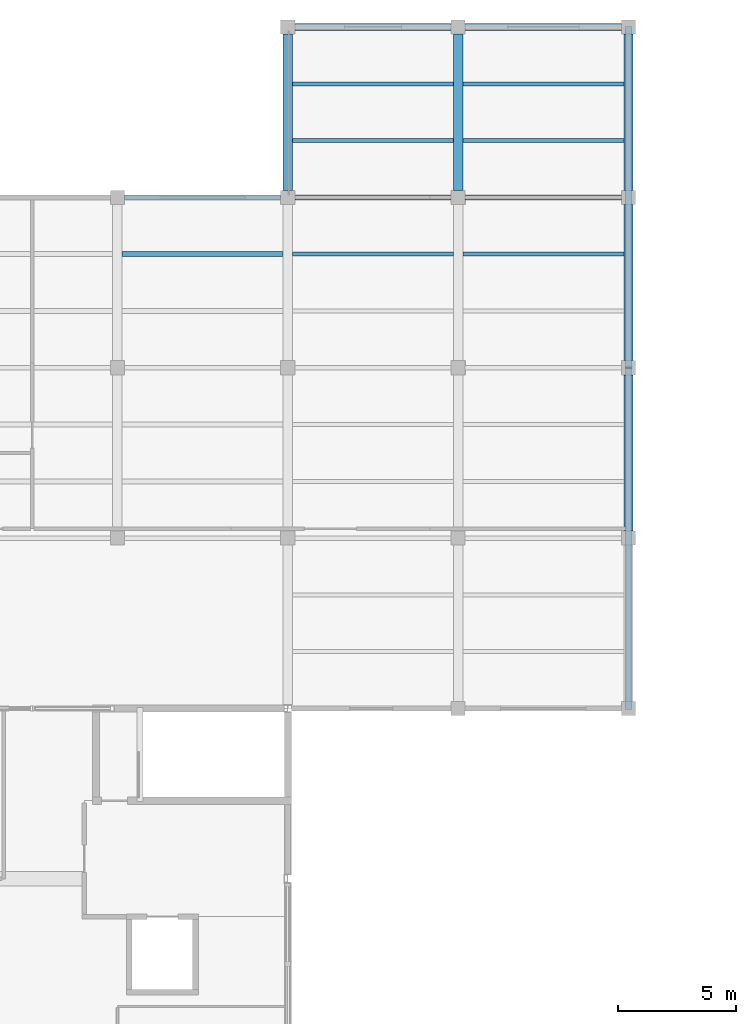
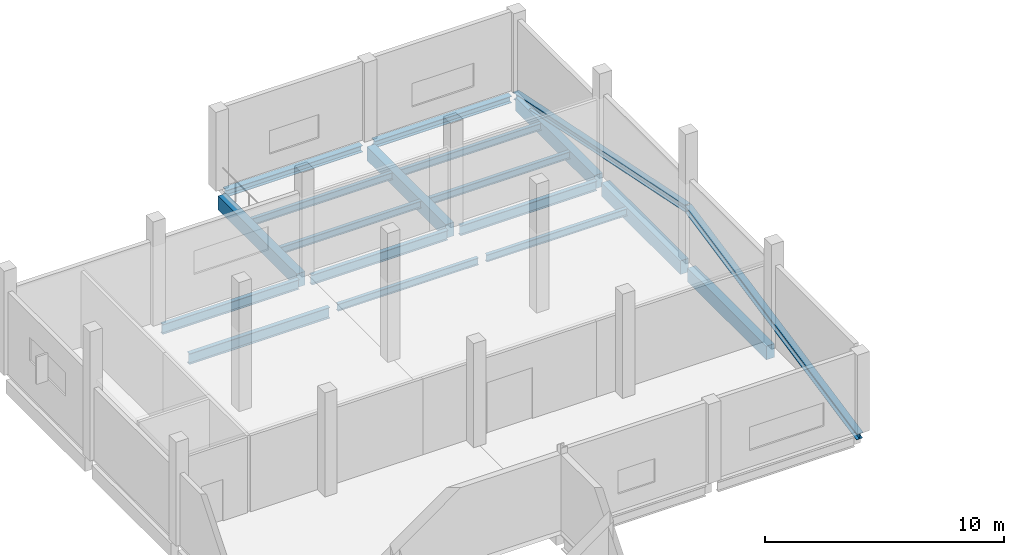
# One storey, part 3 of 20: 19 beams.
"""IFC4 building model written with IfcOpenShell, lengths in metres."""

from ifc_helpers import new_model, si_unit, direction, frame, origin, origin_2d, place, context, subcontext, project, spatial, rectangle, i_section, extrude, material, material_profile, profile_set, type_object, element, save


model = new_model("IFC4")

# Units and contexts
model_context = context("Model", 3, precision=1e-05, world=origin(), true_north=direction((0.0, 1.0)))
body_context = subcontext(model_context, "Body", "Model", "MODEL_VIEW")
ifc_project = project(units=[si_unit("LENGTHUNIT", "METRE"), si_unit("AREAUNIT", "SQUARE_METRE"), si_unit("VOLUMEUNIT", "CUBIC_METRE"), si_unit("PLANEANGLEUNIT", "RADIAN"), si_unit("MASSUNIT", "GRAM", prefix="KILO"), si_unit("THERMODYNAMICTEMPERATUREUNIT", "KELVIN"), si_unit("POWERUNIT", "WATT")], contexts=[model_context])

# Site, building, storey
site_placement = place(None, origin())
site = spatial("IfcSite", under=ifc_project, at=site_placement, CompositionType="ELEMENT")
building_placement = place(site_placement, origin())
building = spatial("IfcBuilding", under=site, at=building_placement, Name="Kaldorven Railside Theatre", CompositionType="ELEMENT")
storey_placement = place(building_placement, frame((0.0, 0.0, 23.10009765625)))
storey = spatial("IfcBuildingStorey", under=building, at=storey_placement, Name="L05", CompositionType="ELEMENT", Elevation=23.10009765625)

# Beams
ifc_material_1 = material(Name="Steel S355", Category="steel")
ifc_material_profile_1 = material_profile(ifc_material_1, i_section(OverallWidth=0.300048828125, OverallDepth=0.340087890625, WebThickness=0.011962890625, FlangeThickness=0.021484375, at=origin_2d()), Name="HEB 340")
ifc_profile_set_1 = profile_set([ifc_material_profile_1], Name="Steel S355")
beam_type_1 = type_object("IfcBeamType", Name="BM-HEB340", PredefinedType="SPANDREL", material=ifc_profile_set_1)
for number, where, z_axis, x_axis, name in (
    (1, (123.5, 141.60009765625, -0.420166015625), (1.0, 0.0, 0.0), (0.0, 1.0, 0.0), "L05 Girder BGX-L05-123-141"),
    (2, (130.699951171875, 141.60009765625, -0.420166015625), (1.0, 0.0, 0.0), (0.0, 1.0, 0.0), "L05 Girder BGX-L05-130-141"),
):
    element("IfcBeam", number, at=place(storey_placement, frame(where, z_axis=z_axis, x_axis=x_axis)), inside=storey, type_object=beam_type_1, Name=name, PredefinedType="SPANDREL", context=body_context, shape_type="SweptSolid", body=[
        extrude(i_section(OverallWidth=0.300048828125, OverallDepth=0.340087890625, WebThickness=0.011962890625, FlangeThickness=0.021484375, at=origin_2d()), origin(), (0.0, 0.0, 1.0), 6.60009765625),
    ])
beam_1_placement = place(storey_placement, frame((137.60009765625, 112.800048828125, -0.36865234375), z_axis=(0.0, 0.979654560506, 0.200691160941), x_axis=(-1.0, 0.0, 0.0)))
element("IfcBeam", 3, at=beam_1_placement, inside=storey, type_object=beam_type_1, Name="Backstage Monsoon Roof Rafter RAF-169", PredefinedType="SPANDREL", context=body_context, shape_type="SweptSolid", body=[
    extrude(i_section(OverallWidth=0.300048828125, OverallDepth=0.340087890625, WebThickness=0.011962890625, FlangeThickness=0.021484375, at=origin_2d()), origin(), (0.0, 0.0, 1.0), 14.698974609375),
])
beam_2_placement = place(storey_placement, frame((137.60009765625, 127.199951171875, 2.581298828125), z_axis=(0.0, 0.979655229465, -0.200687895455), x_axis=(-1.0, 0.0, 0.0)))
element("IfcBeam", 4, at=beam_2_placement, inside=storey, type_object=beam_type_1, Name="Backstage Monsoon Roof Rafter RAF-170", PredefinedType="SPANDREL", context=body_context, shape_type="SweptSolid", body=[
    extrude(i_section(OverallWidth=0.300048828125, OverallDepth=0.340087890625, WebThickness=0.011962890625, FlangeThickness=0.021484375, at=origin_2d()), origin(), (0.0, 0.0, 1.0), 14.69921875),
])
ifc_material_profile_2 = material_profile(ifc_material_1, i_section(OverallWidth=0.169921875, OverallDepth=0.360107421875, WebThickness=0.008056640625, FlangeThickness=0.0126953125, at=origin_2d()), Name="IPE 360")
ifc_profile_set_2 = profile_set([ifc_material_profile_2], Name="Steel S355")
beam_type_2 = type_object("IfcBeamType", Name="BM-IPE360", PredefinedType="JOIST", material=ifc_profile_set_2)
beam_3_placement = place(storey_placement, frame((123.39990234375, 132.0, -0.43017578125), z_axis=(1.0, 0.0, 0.0), x_axis=(0.0, 1.0, 0.0)))
element("IfcBeam", 5, at=beam_3_placement, inside=storey, type_object=beam_type_2, Name="L05 Secondary Floor Joist JG-L05-123-1320", PredefinedType="JOIST", context=body_context, shape_type="SweptSolid", body=[
    extrude(i_section(OverallWidth=0.169921875, OverallDepth=0.360107421875, WebThickness=0.008056640625, FlangeThickness=0.0126953125, at=origin_2d()), origin(), (0.0, 0.0, 1.0), 6.800048828125),
])
beam_4_placement = place(storey_placement, frame((130.60009765625, 132.0, -0.43017578125), z_axis=(1.0, 0.0, 0.0), x_axis=(0.0, 1.0, 0.0)))
element("IfcBeam", 6, at=beam_4_placement, inside=storey, type_object=beam_type_2, Name="L05 Secondary Floor Joist JG-L05-130-1320", PredefinedType="JOIST", context=body_context, shape_type="SweptSolid", body=[
    extrude(i_section(OverallWidth=0.169921875, OverallDepth=0.360107421875, WebThickness=0.008056640625, FlangeThickness=0.0126953125, at=origin_2d()), origin(), (0.0, 0.0, 1.0), 6.7998046875),
])
for number, where, z_axis, x_axis, name in (
    (7, (123.39990234375, 136.800048828125, -0.43017578125), (1.0, 0.0, 0.0), (0.0, 1.0, 0.0), "L05 Secondary Floor Joist JG-L05-123-1368"),
    (8, (123.39990234375, 139.199951171875, -0.43017578125), (1.0, 0.0, 0.0), (0.0, 1.0, 0.0), "L05 Secondary Floor Joist JG-L05-123-1392"),
):
    element("IfcBeam", number, at=place(storey_placement, frame(where, z_axis=z_axis, x_axis=x_axis)), inside=storey, type_object=beam_type_2, Name=name, PredefinedType="JOIST", context=body_context, shape_type="SweptSolid", body=[
        extrude(i_section(OverallWidth=0.169921875, OverallDepth=0.360107421875, WebThickness=0.008056640625, FlangeThickness=0.0126953125, at=origin_2d()), origin(), (0.0, 0.0, 1.0), 6.800048828125),
    ])
for number, where, z_axis, x_axis, name in (
    (9, (130.60009765625, 136.800048828125, -0.43017578125), (1.0, 0.0, 0.0), (0.0, 1.0, 0.0), "L05 Secondary Floor Joist JG-L05-130-1368"),
    (10, (130.60009765625, 139.199951171875, -0.43017578125), (1.0, 0.0, 0.0), (0.0, 1.0, 0.0), "L05 Secondary Floor Joist JG-L05-130-1392"),
):
    element("IfcBeam", number, at=place(storey_placement, frame(where, z_axis=z_axis, x_axis=x_axis)), inside=storey, type_object=beam_type_2, Name=name, PredefinedType="JOIST", context=body_context, shape_type="SweptSolid", body=[
        extrude(i_section(OverallWidth=0.169921875, OverallDepth=0.360107421875, WebThickness=0.008056640625, FlangeThickness=0.0126953125, at=origin_2d()), origin(), (0.0, 0.0, 1.0), 6.7998046875),
    ])
ifc_material_profile_3 = material_profile(ifc_material_1, i_section(OverallWidth=0.199951171875, OverallDepth=0.5, WebThickness=0.01025390625, FlangeThickness=0.01611328125, at=origin_2d()), Name="IPE 500")
ifc_profile_set_3 = profile_set([ifc_material_profile_3], Name="Steel S355")
beam_type_3 = type_object("IfcBeamType", Name="BM-IPE500", PredefinedType="BEAM", material=ifc_profile_set_3)
beam_5_placement = place(storey_placement, frame((116.300048828125, 134.39990234375, -0.5), z_axis=(1.0, 0.0, 0.0), x_axis=(0.0, 1.0, 0.0)))
element("IfcBeam", 11, at=beam_5_placement, inside=storey, type_object=beam_type_3, Name="L05 Girder BGX-L05-116-134", PredefinedType="BEAM", context=body_context, shape_type="SweptSolid", body=[
    extrude(i_section(OverallWidth=0.199951171875, OverallDepth=0.5, WebThickness=0.01025390625, FlangeThickness=0.01611328125, at=origin_2d()), origin(), (0.0, 0.0, 1.0), 6.599853515625),
])
for number, where, z_axis, x_axis, name in (
    (12, (123.5, 134.39990234375, -0.5), (1.0, 0.0, 0.0), (0.0, 1.0, 0.0), "L05 Girder BGX-L05-123-134"),
    (13, (130.699951171875, 134.39990234375, -0.5), (1.0, 0.0, 0.0), (0.0, 1.0, 0.0), "L05 Girder BGX-L05-130-134"),
):
    element("IfcBeam", number, at=place(storey_placement, frame(where, z_axis=z_axis, x_axis=x_axis)), inside=storey, type_object=beam_type_3, Name=name, PredefinedType="BEAM", context=body_context, shape_type="SweptSolid", body=[
        extrude(i_section(OverallWidth=0.199951171875, OverallDepth=0.5, WebThickness=0.01025390625, FlangeThickness=0.01611328125, at=origin_2d()), origin(), (0.0, 0.0, 1.0), 6.60009765625),
    ])
ifc_material_profile_4 = material_profile(ifc_material_1, i_section(OverallWidth=0.2099609375, OverallDepth=0.550048828125, WebThickness=0.010986328125, FlangeThickness=0.01708984375, at=origin_2d()), Name="IPE 550")
ifc_profile_set_4 = profile_set([ifc_material_profile_4], Name="Steel S355")
beam_type_4 = type_object("IfcBeamType", Name="BM-IPE550", PredefinedType="USERDEFINED", material=ifc_profile_set_4)
beam_6_placement = place(storey_placement, frame((116.199951171875, 132.0, -0.525146484375), z_axis=(1.0, 0.0, 0.0), x_axis=(0.0, 1.0, 0.0)))
element("IfcBeam", 14, at=beam_6_placement, inside=storey, type_object=beam_type_4, Name="L05 Secondary Floor Joist JG-L05-116-1320", ObjectType="RAKER BEAM", PredefinedType="USERDEFINED", context=body_context, shape_type="SweptSolid", body=[
    extrude(i_section(OverallWidth=0.2099609375, OverallDepth=0.550048828125, WebThickness=0.010986328125, FlangeThickness=0.01708984375, at=origin_2d()), origin(), (0.0, 0.0, 1.0), 6.800048828125),
])
ifc_material_2 = material(Name="Concrete C40/50", Category="concrete")
ifc_material_profile_5 = material_profile(ifc_material_2, rectangle(XDim=0.39990234375, YDim=0.699951171875, at=origin_2d()), Name="RC 400x700")
ifc_profile_set_5 = profile_set([ifc_material_profile_5], Name="Concrete C40/50")
beam_type_5 = type_object("IfcBeamType", Name="BM-RC400x700", PredefinedType="BEAM", material=ifc_profile_set_5)
beam_7_placement = place(storey_placement, frame((137.60009765625, 120.300048828125, -0.60009765625), z_axis=(0.0, 1.0, 0.0), x_axis=(-1.0, 0.0, 0.0)))
element("IfcBeam", 15, at=beam_7_placement, inside=storey, type_object=beam_type_5, Name="L05 Girder BGY-L05-137-120-72", PredefinedType="BEAM", context=body_context, shape_type="SweptSolid", body=[
    extrude(rectangle(XDim=0.39990234375, YDim=0.699951171875, at=origin_2d()), origin(), (0.0, 0.0, 1.0), 6.599853515625),
])
for number, where, z_axis, x_axis, name in (
    (16, (137.60009765625, 127.5, -0.60009765625), (0.0, 1.0, 0.0), (-1.0, 0.0, 0.0), "L05 Girder BGY-L05-137-127-72"),
    (17, (123.199951171875, 134.699951171875, -0.60009765625), (0.0, 1.0, 0.0), (-1.0, 0.0, 0.0), "L05 Girder BGY-L05-123-134-72"),
    (18, (130.39990234375, 134.699951171875, -0.60009765625), (0.0, 1.0, 0.0), (-1.0, 0.0, 0.0), "L05 Girder BGY-L05-130-134-72"),
    (19, (137.60009765625, 134.699951171875, -0.60009765625), (0.0, 1.0, 0.0), (-1.0, 0.0, 0.0), "L05 Girder BGY-L05-137-134-72"),
):
    element("IfcBeam", number, at=place(storey_placement, frame(where, z_axis=z_axis, x_axis=x_axis)), inside=storey, type_object=beam_type_5, Name=name, PredefinedType="BEAM", context=body_context, shape_type="SweptSolid", body=[
        extrude(rectangle(XDim=0.39990234375, YDim=0.699951171875, at=origin_2d()), origin(), (0.0, 0.0, 1.0), 6.60009765625),
    ])

save(model, "model.ifc")
